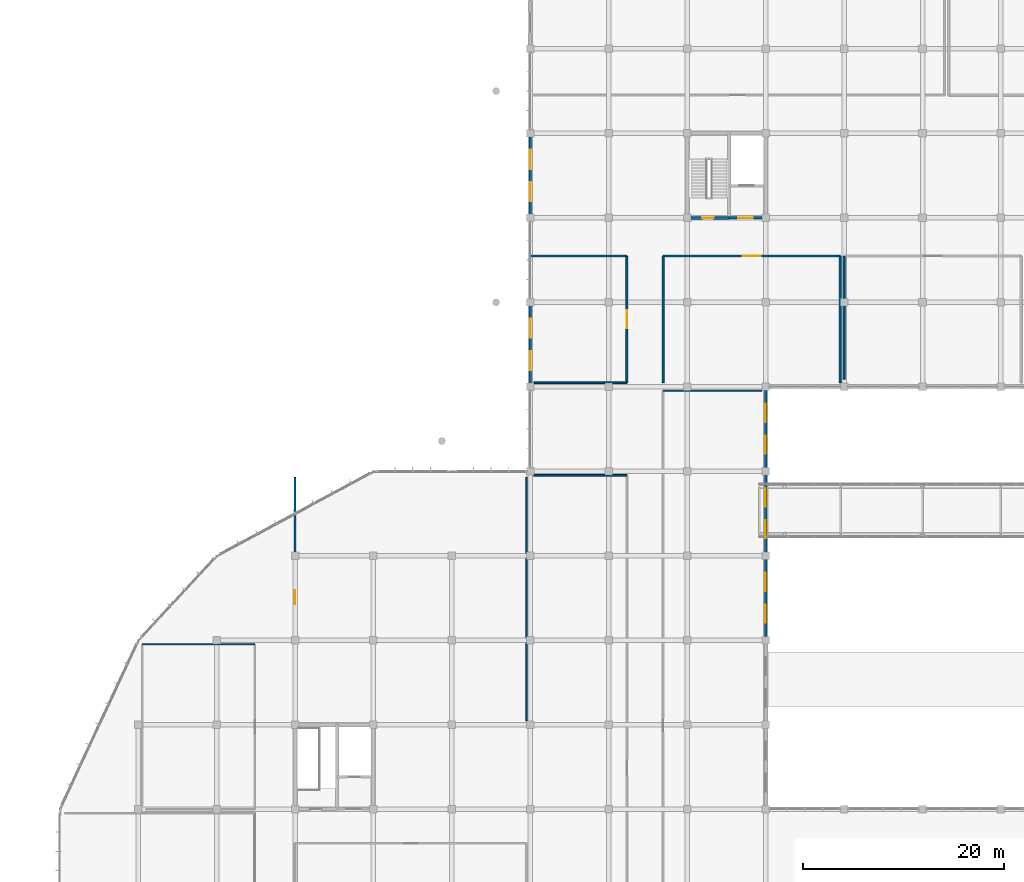
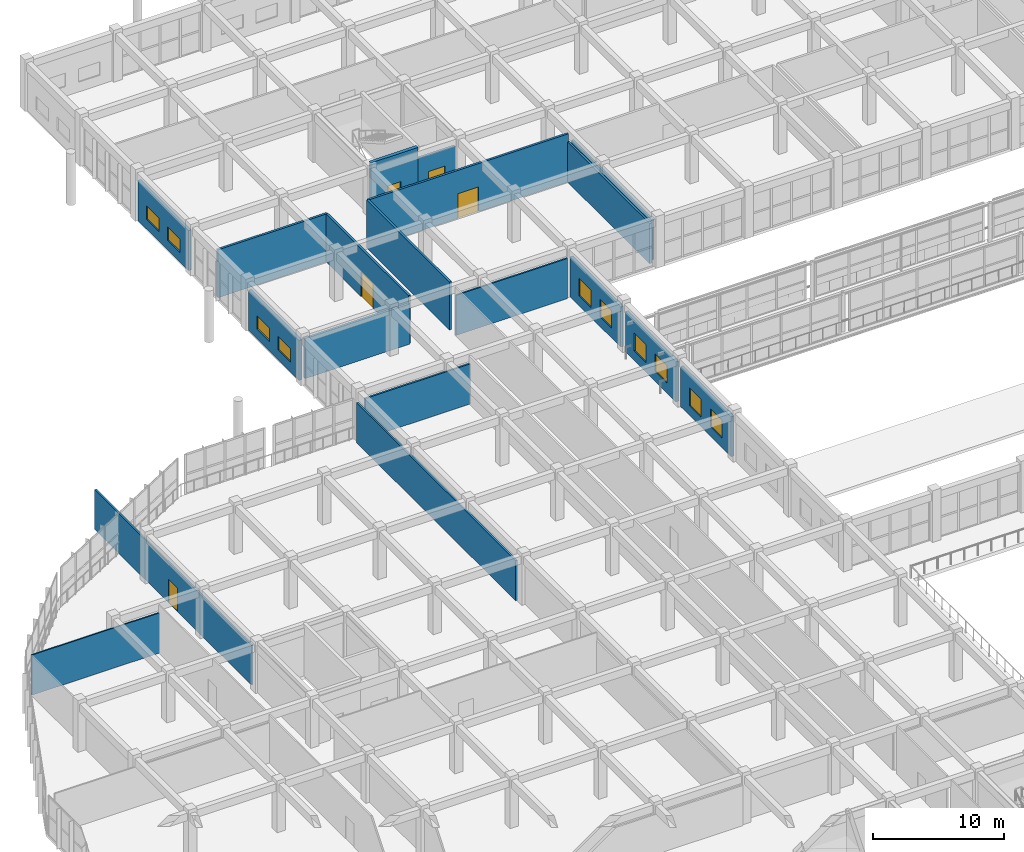
# One storey, part 154 of 167: 19 walls, 10 windows, 5 doors, 15 openings.
"""IFC4 building model written with IfcOpenShell, lengths in metres."""

from ifc_helpers import new_model, si_unit, direction, frame, frame_2d, origin, place, context, subcontext, project, spatial, rectangle, extrude, material, layer, layer_set, type_object, element, fill, save


model = new_model("IFC4")

# Units and contexts
model_context = context("Model", 3, precision=1e-05, world=origin(), true_north=direction((0.0, 1.0)))
body_context = subcontext(model_context, "Body", "Model", "MODEL_VIEW")
ifc_project = project(units=[si_unit("LENGTHUNIT", "METRE"), si_unit("AREAUNIT", "SQUARE_METRE"), si_unit("VOLUMEUNIT", "CUBIC_METRE"), si_unit("PLANEANGLEUNIT", "RADIAN"), si_unit("MASSUNIT", "GRAM", prefix="KILO")], contexts=[model_context])

# Site, building, storey
site_placement = place(None, origin())
site = spatial("IfcSite", under=ifc_project, at=site_placement, CompositionType="ELEMENT")
building_placement = place(site_placement, origin())
building = spatial("IfcBuilding", under=site, at=building_placement, Name="Zizhar Promenade General Hospital", CompositionType="ELEMENT")
storey_placement = place(building_placement, frame((0.0, 0.0, 9.60009765625)))
storey = spatial("IfcBuildingStorey", under=building, at=storey_placement, Name="L02", CompositionType="ELEMENT", Elevation=9.60009765625)

# Wall, openings, windows
ifc_material_1 = material(Name="Precast concrete C40/50", Category="concrete")
ifc_layer_1 = layer(ifc_material_1, 0.260009765625)
ifc_layer_set_1 = layer_set([ifc_layer_1], Name="Precast concrete C40/50")
wall_type_1 = type_object("IfcWallType", Name="EW-PC-260", PredefinedType="STANDARD", material=ifc_layer_set_1)
wall_1_placement = place(storey_placement, frame((70.199951171875, 67.5400390625, 0.0), z_axis=(0.0, 0.0, 1.0), x_axis=(0.0, 1.0, 0.0)))
wall_1 = element("IfcWall", 1, at=wall_1_placement, inside=storey, type_object=wall_type_1, Name="Garden Court West Wall L02-8", PredefinedType="STANDARD", context=body_context, shape_type="SweptSolid", body=[
    extrude(rectangle(XDim=7.719970703125, YDim=0.260009765625, at=frame_2d((3.85986328125, 0.0))), origin(), (0.0, 0.0, 1.0), 3.71484375),
])
opening_1_placement = place(wall_1_placement, frame((1.373291015625, 0.0, 0.89990234375)))
opening_1 = element("IfcOpeningElement", 2, at=opening_1_placement, cuts=wall_1, Name="Opening W-08", PredefinedType="OPENING", context=body_context, shape_type="SweptSolid", body=[
    extrude(rectangle(XDim=1.800048828125, YDim=1.64990234375, at=frame_2d((0.89990234375, 0.824951171875))), frame((0.0, 0.14013671875, 0.0), z_axis=(0.0, -1.0, 0.0), x_axis=(1.0, 0.0, 0.0)), (0.0, 0.0, 1.0), 0.280029296875),
])
opening_2_placement = place(wall_1_placement, frame((4.546630859375, 0.0, 0.89990234375)))
opening_2 = element("IfcOpeningElement", 3, at=opening_2_placement, cuts=wall_1, Name="Opening W-08", PredefinedType="OPENING", context=body_context, shape_type="SweptSolid", body=[
    extrude(rectangle(XDim=1.800048828125, YDim=1.64990234375, at=frame_2d((0.89990234375, 0.824951171875))), frame((0.0, 0.14013671875, 0.0), z_axis=(0.0, -1.0, 0.0), x_axis=(1.0, 0.0, 0.0)), (0.0, 0.0, 1.0), 0.280029296875),
])
ifc_material_2 = material(Name="Anodised aluminium 6063-T6 and low-E glass", Category="aluminium")
window_type_1 = type_object("IfcWindowType", Name="WIN-CLN-180x165", PartitioningType="DOUBLE_PANEL_VERTICAL", PredefinedType="WINDOW", material=ifc_material_2)
window_1_placement = place(opening_1_placement, origin())
window_1 = element("IfcWindow", 4, at=window_1_placement, inside=storey, type_object=window_type_1, Name="Garden Court West Wall L02-8 Window 1", OverallHeight=1.64990234375, OverallWidth=1.800048828125, PartitioningType="SINGLE_PANEL", PredefinedType="WINDOW", context=body_context, shape_type="SweptSolid", body=[
    extrude(rectangle(XDim=1.800048828125, YDim=1.64990234375, at=frame_2d((0.89990234375, 0.824951171875))), frame((0.0, 0.030029296875, 0.0), z_axis=(0.0, -1.0, 0.0), x_axis=(1.0, 0.0, 0.0)), (0.0, 0.0, 1.0), 0.06005859375),
])
fill(opening_1, window_1)
window_2_placement = place(opening_2_placement, origin())
window_2 = element("IfcWindow", 5, at=window_2_placement, inside=storey, type_object=window_type_1, Name="Garden Court West Wall L02-8 Window 2", OverallHeight=1.64990234375, OverallWidth=1.800048828125, PartitioningType="SINGLE_PANEL", PredefinedType="WINDOW", context=body_context, shape_type="SweptSolid", body=[
    extrude(rectangle(XDim=1.800048828125, YDim=1.64990234375, at=frame_2d((0.89990234375, 0.824951171875))), frame((0.0, 0.030029296875, 0.0), z_axis=(0.0, -1.0, 0.0), x_axis=(1.0, 0.0, 0.0)), (0.0, 0.0, 1.0), 0.06005859375),
])
fill(opening_2, window_2)

wall_2_placement = place(storey_placement, frame((70.199951171875, 75.93994140625, 0.0), z_axis=(0.0, 0.0, 1.0), x_axis=(0.0, 1.0, 0.0)))
wall_2 = element("IfcWall", 6, at=wall_2_placement, inside=storey, type_object=wall_type_1, Name="Garden Court West Wall L02-9", PredefinedType="STANDARD", context=body_context, shape_type="SweptSolid", body=[
    extrude(rectangle(XDim=7.719970703125, YDim=0.260009765625, at=frame_2d((3.85986328125, 0.0))), origin(), (0.0, 0.0, 1.0), 3.71484375),
])
opening_3_placement = place(wall_2_placement, frame((1.373291015625, 0.0, 0.89990234375)))
opening_3 = element("IfcOpeningElement", 7, at=opening_3_placement, cuts=wall_2, Name="Opening W-08", PredefinedType="OPENING", context=body_context, shape_type="SweptSolid", body=[
    extrude(rectangle(XDim=1.800048828125, YDim=1.64990234375, at=frame_2d((0.89990234375, 0.824951171875))), frame((0.0, 0.14013671875, 0.0), z_axis=(0.0, -1.0, 0.0), x_axis=(1.0, 0.0, 0.0)), (0.0, 0.0, 1.0), 0.280029296875),
])
opening_4_placement = place(wall_2_placement, frame((4.546630859375, 0.0, 0.89990234375)))
opening_4 = element("IfcOpeningElement", 8, at=opening_4_placement, cuts=wall_2, Name="Opening W-08", PredefinedType="OPENING", context=body_context, shape_type="SweptSolid", body=[
    extrude(rectangle(XDim=1.800048828125, YDim=1.64990234375, at=frame_2d((0.89990234375, 0.824951171875))), frame((0.0, 0.14013671875, 0.0), z_axis=(0.0, -1.0, 0.0), x_axis=(1.0, 0.0, 0.0)), (0.0, 0.0, 1.0), 0.280029296875),
])
window_3_placement = place(opening_3_placement, origin())
window_3 = element("IfcWindow", 9, at=window_3_placement, inside=storey, type_object=window_type_1, Name="Garden Court West Wall L02-9 Window 1", OverallHeight=1.64990234375, OverallWidth=1.800048828125, PartitioningType="SINGLE_PANEL", PredefinedType="WINDOW", context=body_context, shape_type="SweptSolid", body=[
    extrude(rectangle(XDim=1.800048828125, YDim=1.64990234375, at=frame_2d((0.89990234375, 0.824951171875))), frame((0.0, 0.030029296875, 0.0), z_axis=(0.0, -1.0, 0.0), x_axis=(1.0, 0.0, 0.0)), (0.0, 0.0, 1.0), 0.06005859375),
])
fill(opening_3, window_3)
window_4_placement = place(opening_4_placement, origin())
window_4 = element("IfcWindow", 10, at=window_4_placement, inside=storey, type_object=window_type_1, Name="Garden Court West Wall L02-9 Window 2", OverallHeight=1.64990234375, OverallWidth=1.800048828125, PartitioningType="SINGLE_PANEL", PredefinedType="WINDOW", context=body_context, shape_type="SweptSolid", body=[
    extrude(rectangle(XDim=1.800048828125, YDim=1.64990234375, at=frame_2d((0.89990234375, 0.824951171875))), frame((0.0, 0.030029296875, 0.0), z_axis=(0.0, -1.0, 0.0), x_axis=(1.0, 0.0, 0.0)), (0.0, 0.0, 1.0), 0.06005859375),
])
fill(opening_4, window_4)

wall_3_placement = place(storey_placement, frame((70.199951171875, 84.340087890625, 0.0), z_axis=(0.0, 0.0, 1.0), x_axis=(0.0, 1.0, 0.0)))
wall_3 = element("IfcWall", 11, at=wall_3_placement, inside=storey, type_object=wall_type_1, Name="Garden Court West Wall L02-10", PredefinedType="STANDARD", context=body_context, shape_type="SweptSolid", body=[
    extrude(rectangle(XDim=7.719970703125, YDim=0.260009765625, at=frame_2d((3.85986328125, 0.0))), origin(), (0.0, 0.0, 1.0), 3.71484375),
])
opening_5_placement = place(wall_3_placement, frame((1.373291015625, 0.0, 0.89990234375)))
opening_5 = element("IfcOpeningElement", 12, at=opening_5_placement, cuts=wall_3, Name="Opening W-08", PredefinedType="OPENING", context=body_context, shape_type="SweptSolid", body=[
    extrude(rectangle(XDim=1.800048828125, YDim=1.64990234375, at=frame_2d((0.89990234375, 0.824951171875))), frame((0.0, 0.14013671875, 0.0), z_axis=(0.0, -1.0, 0.0), x_axis=(1.0, 0.0, 0.0)), (0.0, 0.0, 1.0), 0.280029296875),
])
opening_6_placement = place(wall_3_placement, frame((4.546630859375, 0.0, 0.89990234375)))
opening_6 = element("IfcOpeningElement", 13, at=opening_6_placement, cuts=wall_3, Name="Opening W-08", PredefinedType="OPENING", context=body_context, shape_type="SweptSolid", body=[
    extrude(rectangle(XDim=1.800048828125, YDim=1.64990234375, at=frame_2d((0.89990234375, 0.824951171875))), frame((0.0, 0.14013671875, 0.0), z_axis=(0.0, -1.0, 0.0), x_axis=(1.0, 0.0, 0.0)), (0.0, 0.0, 1.0), 0.280029296875),
])
window_5_placement = place(opening_5_placement, origin())
window_5 = element("IfcWindow", 14, at=window_5_placement, inside=storey, type_object=window_type_1, Name="Garden Court West Wall L02-10 Window 1", OverallHeight=1.64990234375, OverallWidth=1.800048828125, PartitioningType="SINGLE_PANEL", PredefinedType="WINDOW", context=body_context, shape_type="SweptSolid", body=[
    extrude(rectangle(XDim=1.800048828125, YDim=1.64990234375, at=frame_2d((0.89990234375, 0.824951171875))), frame((0.0, 0.030029296875, 0.0), z_axis=(0.0, -1.0, 0.0), x_axis=(1.0, 0.0, 0.0)), (0.0, 0.0, 1.0), 0.06005859375),
])
fill(opening_5, window_5)
window_6_placement = place(opening_6_placement, origin())
window_6 = element("IfcWindow", 15, at=window_6_placement, inside=storey, type_object=window_type_1, Name="Garden Court West Wall L02-10 Window 2", OverallHeight=1.64990234375, OverallWidth=1.800048828125, PartitioningType="SINGLE_PANEL", PredefinedType="WINDOW", context=body_context, shape_type="SweptSolid", body=[
    extrude(rectangle(XDim=1.800048828125, YDim=1.64990234375, at=frame_2d((0.89990234375, 0.824951171875))), frame((0.0, 0.030029296875, 0.0), z_axis=(0.0, -1.0, 0.0), x_axis=(1.0, 0.0, 0.0)), (0.0, 0.0, 1.0), 0.06005859375),
])
fill(opening_6, window_6)

ifc_material_3 = material(Name="Precast concrete C40/50", Category="concrete")
ifc_layer_2 = layer(ifc_material_3, 0.27490234375)
ifc_layer_set_2 = layer_set([ifc_layer_2], Name="Precast concrete C40/50")
wall_type_2 = type_object("IfcWallType", Name="EW-PC-275", PredefinedType="STANDARD", material=ifc_layer_set_2)
wall_4_placement = place(storey_placement, frame((46.800048828125, 92.739990234375, 0.0), z_axis=(0.0, 0.0, 1.0), x_axis=(0.0, 1.0, 0.0)))
wall_4 = element("IfcWall", 16, at=wall_4_placement, inside=storey, type_object=wall_type_2, Name="Surgical West Wall L02-11", PredefinedType="STANDARD", context=body_context, shape_type="SweptSolid", body=[
    extrude(rectangle(XDim=7.719970703125, YDim=0.27490234375, at=frame_2d((3.85986328125, 0.0))), origin(), (0.0, 0.0, 1.0), 3.71484375),
])
opening_7_placement = place(wall_4_placement, frame((1.306640625, 0.0, 0.89990234375)))
opening_7 = element("IfcOpeningElement", 17, at=opening_7_placement, cuts=wall_4, Name="Opening W-24", PredefinedType="OPENING", context=body_context, shape_type="SweptSolid", body=[
    extrude(rectangle(XDim=1.89990234375, YDim=1.25, at=frame_2d((0.949951171875, 0.625))), frame((0.0, 0.1474609375, 0.0), z_axis=(0.0, -1.0, 0.0), x_axis=(1.0, 0.0, 0.0)), (0.0, 0.0, 1.0), 0.294921875),
])
opening_8_placement = place(wall_4_placement, frame((4.51318359375, 0.0, 0.89990234375)))
opening_8 = element("IfcOpeningElement", 18, at=opening_8_placement, cuts=wall_4, Name="Opening W-24", PredefinedType="OPENING", context=body_context, shape_type="SweptSolid", body=[
    extrude(rectangle(XDim=1.89990234375, YDim=1.25, at=frame_2d((0.949951171875, 0.625))), frame((0.0, 0.1474609375, 0.0), z_axis=(0.0, -1.0, 0.0), x_axis=(1.0, 0.0, 0.0)), (0.0, 0.0, 1.0), 0.294921875),
])
ifc_material_4 = material(Name="Anodised aluminium 6063-T6 and low-E glass", Category="aluminium")
window_type_2 = type_object("IfcWindowType", Name="WIN-OR-190x125", PartitioningType="DOUBLE_PANEL_VERTICAL", PredefinedType="WINDOW", material=ifc_material_4)
window_7_placement = place(opening_7_placement, origin())
window_7 = element("IfcWindow", 19, at=window_7_placement, inside=storey, type_object=window_type_2, Name="Surgical West Wall L02-11 Window 1", OverallHeight=1.25, OverallWidth=1.89990234375, PartitioningType="SINGLE_PANEL", PredefinedType="WINDOW", context=body_context, shape_type="SweptSolid", body=[
    extrude(rectangle(XDim=1.89990234375, YDim=1.25, at=frame_2d((0.949951171875, 0.625))), frame((0.0, 0.030029296875, 0.0), z_axis=(0.0, -1.0, 0.0), x_axis=(1.0, 0.0, 0.0)), (0.0, 0.0, 1.0), 0.06005859375),
])
fill(opening_7, window_7)
window_8_placement = place(opening_8_placement, origin())
window_8 = element("IfcWindow", 20, at=window_8_placement, inside=storey, type_object=window_type_2, Name="Surgical West Wall L02-11 Window 2", OverallHeight=1.25, OverallWidth=1.89990234375, PartitioningType="SINGLE_PANEL", PredefinedType="WINDOW", context=body_context, shape_type="SweptSolid", body=[
    extrude(rectangle(XDim=1.89990234375, YDim=1.25, at=frame_2d((0.949951171875, 0.625))), frame((0.0, 0.030029296875, 0.0), z_axis=(0.0, -1.0, 0.0), x_axis=(1.0, 0.0, 0.0)), (0.0, 0.0, 1.0), 0.06005859375),
])
fill(opening_8, window_8)

wall_5_placement = place(storey_placement, frame((46.800048828125, 109.5400390625, 0.0), z_axis=(0.0, 0.0, 1.0), x_axis=(0.0, 1.0, 0.0)))
wall_5 = element("IfcWall", 21, at=wall_5_placement, inside=storey, type_object=wall_type_2, Name="Surgical West Wall L02-13", PredefinedType="STANDARD", context=body_context, shape_type="SweptSolid", body=[
    extrude(rectangle(XDim=7.719970703125, YDim=0.27490234375, at=frame_2d((3.85986328125, 0.0))), origin(), (0.0, 0.0, 1.0), 3.71484375),
])
opening_9_placement = place(wall_5_placement, frame((1.306640625, 0.0, 0.89990234375)))
opening_9 = element("IfcOpeningElement", 22, at=opening_9_placement, cuts=wall_5, Name="Opening W-24", PredefinedType="OPENING", context=body_context, shape_type="SweptSolid", body=[
    extrude(rectangle(XDim=1.89990234375, YDim=1.25, at=frame_2d((0.949951171875, 0.625))), frame((0.0, 0.1474609375, 0.0), z_axis=(0.0, -1.0, 0.0), x_axis=(1.0, 0.0, 0.0)), (0.0, 0.0, 1.0), 0.294921875),
])
opening_10_placement = place(wall_5_placement, frame((4.51318359375, 0.0, 0.89990234375)))
opening_10 = element("IfcOpeningElement", 23, at=opening_10_placement, cuts=wall_5, Name="Opening W-24", PredefinedType="OPENING", context=body_context, shape_type="SweptSolid", body=[
    extrude(rectangle(XDim=1.89990234375, YDim=1.25, at=frame_2d((0.949951171875, 0.625))), frame((0.0, 0.1474609375, 0.0), z_axis=(0.0, -1.0, 0.0), x_axis=(1.0, 0.0, 0.0)), (0.0, 0.0, 1.0), 0.294921875),
])
window_9_placement = place(opening_9_placement, origin())
window_9 = element("IfcWindow", 24, at=window_9_placement, inside=storey, type_object=window_type_2, Name="Surgical West Wall L02-13 Window 1", OverallHeight=1.25, OverallWidth=1.89990234375, PartitioningType="SINGLE_PANEL", PredefinedType="WINDOW", context=body_context, shape_type="SweptSolid", body=[
    extrude(rectangle(XDim=1.89990234375, YDim=1.25, at=frame_2d((0.949951171875, 0.625))), frame((0.0, 0.030029296875, 0.0), z_axis=(0.0, -1.0, 0.0), x_axis=(1.0, 0.0, 0.0)), (0.0, 0.0, 1.0), 0.06005859375),
])
fill(opening_9, window_9)
window_10_placement = place(opening_10_placement, origin())
window_10 = element("IfcWindow", 25, at=window_10_placement, inside=storey, type_object=window_type_2, Name="Surgical West Wall L02-13 Window 2", OverallHeight=1.25, OverallWidth=1.89990234375, PartitioningType="SINGLE_PANEL", PredefinedType="WINDOW", context=body_context, shape_type="SweptSolid", body=[
    extrude(rectangle(XDim=1.89990234375, YDim=1.25, at=frame_2d((0.949951171875, 0.625))), frame((0.0, 0.030029296875, 0.0), z_axis=(0.0, -1.0, 0.0), x_axis=(1.0, 0.0, 0.0)), (0.0, 0.0, 1.0), 0.06005859375),
])
fill(opening_10, window_10)

# Wall
ifc_material_5 = material(Name="Chemical-resistant laboratory partition")
ifc_layer_3 = layer(ifc_material_5, 0.135009765625)
ifc_layer_set_3 = layer_set([ifc_layer_3], Name="Chemical-resistant laboratory partition")
wall_type_3 = type_object("IfcWallType", Name="IW-LAB-135", PredefinedType="PARTITIONING", material=ifc_layer_set_3)
wall_6_placement = place(storey_placement, frame((60.0, 92.0, 0.0), z_axis=(0.0, 0.0, 1.0), x_axis=(1.0, 0.0, 0.0)))
element("IfcWall", 26, at=wall_6_placement, inside=storey, type_object=wall_type_3, Name="Sterile Instrument Preparation Suite N Partition", PredefinedType="PARTITIONING", context=body_context, shape_type="SweptSolid", body=[
    extrude(rectangle(XDim=9.800048828125, YDim=0.135009765625, at=frame_2d((4.89990234375, 0.0))), origin(), (0.0, 0.0, 1.0), 3.72998046875),
])

# Wall, opening, door
ifc_material_6 = material(Name="Concrete C35/45", Category="concrete")
ifc_layer_4 = layer(ifc_material_6, 0.215087890625)
ifc_layer_set_4 = layer_set([ifc_layer_4], Name="Concrete C35/45")
wall_type_4 = type_object("IfcWallType", Name="IW-LOBBY-215", PredefinedType="STANDARD", material=ifc_layer_set_4)
wall_7_placement = place(storey_placement, frame((66.550048828125, 109.199951171875, 0.0), z_axis=(0.0, 0.0, 1.0), x_axis=(1.0, 0.0, 0.0)))
wall_7 = element("IfcWall", 27, at=wall_7_placement, inside=storey, type_object=wall_type_4, Name="Core C6 Lift Lobby South Fire Wall (L02)", PredefinedType="STANDARD", context=body_context, shape_type="SweptSolid", body=[
    extrude(rectangle(XDim=3.2900390625, YDim=0.215087890625, at=frame_2d((1.64501953125, 0.0))), origin(), (0.0, 0.0, 1.0), 3.72998046875),
])
opening_11_placement = place(wall_7_placement, frame((0.925048828125, 0.0, 0.0)))
opening_11 = element("IfcOpeningElement", 28, at=opening_11_placement, cuts=wall_7, Name="Opening D-23", PredefinedType="OPENING", context=body_context, shape_type="SweptSolid", body=[
    extrude(rectangle(XDim=1.43994140625, YDim=2.199951171875, at=frame_2d((0.719970703125, 1.10009765625))), frame((0.0, 0.11767578125, 0.0), z_axis=(0.0, -1.0, 0.0), x_axis=(1.0, 0.0, 0.0)), (0.0, 0.0, 1.0), 0.235107421875),
])
ifc_material_7 = material(Name="Fire-rated timber lift lobby pair", Category="wood")
door_type_1 = type_object("IfcDoorType", Name="DR-LOBBY-PR-144x220", OperationType="DOUBLE_DOOR_SINGLE_SWING", PredefinedType="DOOR", material=ifc_material_7)
door_1_placement = place(opening_11_placement, origin())
door_1 = element("IfcDoor", 29, at=door_1_placement, inside=storey, type_object=door_type_1, Name="Core C6 Protected Lift Lobby Door (L02)", OperationType="DOUBLE_DOOR_SINGLE_SWING", OverallHeight=2.199951171875, OverallWidth=1.43994140625, PredefinedType="DOOR", context=body_context, shape_type="SweptSolid", body=[
    extrude(rectangle(XDim=1.43994140625, YDim=2.199951171875, at=frame_2d((0.719970703125, 1.10009765625))), frame((0.0, 0.02490234375, 0.0), z_axis=(0.0, -1.0, 0.0), x_axis=(1.0, 0.0, 0.0)), (0.0, 0.0, 1.0), 0.050048828125),
])
fill(opening_11, door_1)

# Walls
ifc_material_8 = material(Name="Hygienic cleanroom aluminium-faced gypsum partition", Category="aluminium")
ifc_layer_5 = layer(ifc_material_8, 0.18994140625)
ifc_layer_set_5 = layer_set([ifc_layer_5], Name="Hygienic cleanroom aluminium-faced gypsum partition")
wall_type_5 = type_object("IfcWallType", Name="IW-OR-190", PredefinedType="PARTITIONING", material=ifc_layer_set_5)
wall_8_placement = place(storey_placement, frame((47.159912109375, 92.800048828125, 0.0), z_axis=(0.0, 0.0, 1.0), x_axis=(1.0, 0.0, 0.0)))
element("IfcWall", 30, at=wall_8_placement, inside=storey, type_object=wall_type_5, Name="Operating Theatre 06 S Partition", PredefinedType="PARTITIONING", context=body_context, shape_type="SweptSolid", body=[
    extrude(rectangle(XDim=9.239990234375, YDim=0.18994140625, at=frame_2d((4.6201171875, 0.0))), origin(), (0.0, 0.0, 1.0), 3.72998046875),
])
wall_9_placement = place(storey_placement, frame((46.800048828125, 105.39990234375, 0.0), z_axis=(0.0, 0.0, 1.0), x_axis=(1.0, 0.0, 0.0)))
element("IfcWall", 31, at=wall_9_placement, inside=storey, type_object=wall_type_5, Name="Operating Theatre 06 N Partition", PredefinedType="PARTITIONING", context=body_context, shape_type="SweptSolid", body=[
    extrude(rectangle(XDim=9.599853515625, YDim=0.18994140625, at=frame_2d((4.7998046875, 0.0))), origin(), (0.0, 0.0, 1.0), 4.4599609375),
])

# Wall, opening, door
wall_10_placement = place(storey_placement, frame((56.39990234375, 92.800048828125, 0.0), z_axis=(0.0, 0.0, 1.0), x_axis=(0.0, 1.0, 0.0)))
wall_10 = element("IfcWall", 32, at=wall_10_placement, inside=storey, type_object=wall_type_5, Name="Operating Theatre 06 E Partition", PredefinedType="PARTITIONING", context=body_context, shape_type="SweptSolid", body=[
    extrude(rectangle(XDim=12.599853515625, YDim=0.18994140625, at=frame_2d((6.2998046875, 0.0))), origin(), (0.0, 0.0, 1.0), 4.4599609375),
])
opening_12_placement = place(wall_10_placement, frame((5.39990234375, 0.0, 0.0)))
opening_12 = element("IfcOpeningElement", 33, at=opening_12_placement, cuts=wall_10, Name="Opening D-03", PredefinedType="OPENING", context=body_context, shape_type="SweptSolid", body=[
    extrude(rectangle(XDim=1.800048828125, YDim=2.300048828125, at=frame_2d((0.89990234375, 1.14990234375))), frame((0.0, 0.10498046875, 0.0), z_axis=(0.0, -1.0, 0.0), x_axis=(1.0, 0.0, 0.0)), (0.0, 0.0, 1.0), 0.2099609375),
])
ifc_material_9 = material(Name="Anodised aluminium cleanroom hermetic leaf", Category="aluminium")
door_type_2 = type_object("IfcDoorType", Name="DR-OR-SLIDE-180x230", OperationType="SLIDING_TO_LEFT", PredefinedType="DOOR", material=ifc_material_9)
door_2_placement = place(opening_12_placement, origin())
door_2 = element("IfcDoor", 34, at=door_2_placement, inside=storey, type_object=door_type_2, Name="Operating Theatre 06 Door", OperationType="SLIDING_TO_LEFT", OverallHeight=2.300048828125, OverallWidth=1.800048828125, PredefinedType="DOOR", context=body_context, shape_type="SweptSolid", body=[
    extrude(rectangle(XDim=1.800048828125, YDim=2.300048828125, at=frame_2d((0.89990234375, 1.14990234375))), frame((0.0, 0.02490234375, 0.0), z_axis=(0.0, -1.0, 0.0), x_axis=(1.0, 0.0, 0.0)), (0.0, 0.0, 1.0), 0.050048828125),
])
fill(opening_12, door_2)

wall_11_placement = place(storey_placement, frame((60.0, 105.39990234375, 0.0), z_axis=(0.0, 0.0, 1.0), x_axis=(1.0, 0.0, 0.0)))
wall_11 = element("IfcWall", 35, at=wall_11_placement, inside=storey, type_object=wall_type_5, Name="Operating Theatre 07 N Partition", PredefinedType="PARTITIONING", context=body_context, shape_type="SweptSolid", body=[
    extrude(rectangle(XDim=17.60009765625, YDim=0.18994140625, at=frame_2d((8.800048828125, 0.0))), origin(), (0.0, 0.0, 1.0), 4.4599609375),
])
opening_13_placement = place(wall_11_placement, frame((7.89990234375, 0.0, 0.0)))
opening_13 = element("IfcOpeningElement", 36, at=opening_13_placement, cuts=wall_11, Name="Opening D-03", PredefinedType="OPENING", context=body_context, shape_type="SweptSolid", body=[
    extrude(rectangle(XDim=1.800048828125, YDim=2.300048828125, at=frame_2d((0.89990234375, 1.14990234375))), frame((0.0, 0.10498046875, 0.0), z_axis=(0.0, -1.0, 0.0), x_axis=(1.0, 0.0, 0.0)), (0.0, 0.0, 1.0), 0.2099609375),
])
door_3_placement = place(opening_13_placement, origin())
door_3 = element("IfcDoor", 37, at=door_3_placement, inside=storey, type_object=door_type_2, Name="Operating Theatre 07 Door", OperationType="SLIDING_TO_LEFT", OverallHeight=2.300048828125, OverallWidth=1.800048828125, PredefinedType="DOOR", context=body_context, shape_type="SweptSolid", body=[
    extrude(rectangle(XDim=1.800048828125, YDim=2.300048828125, at=frame_2d((0.89990234375, 1.14990234375))), frame((0.0, 0.02490234375, 0.0), z_axis=(0.0, -1.0, 0.0), x_axis=(1.0, 0.0, 0.0)), (0.0, 0.0, 1.0), 0.050048828125),
])
fill(opening_13, door_3)

# Walls
wall_12_placement = place(storey_placement, frame((60.0, 92.800048828125, 0.0), z_axis=(0.0, 0.0, 1.0), x_axis=(0.0, 1.0, 0.0)))
element("IfcWall", 38, at=wall_12_placement, inside=storey, type_object=wall_type_5, Name="Operating Theatre 07 W Partition", PredefinedType="PARTITIONING", context=body_context, shape_type="SweptSolid", body=[
    extrude(rectangle(XDim=12.599853515625, YDim=0.18994140625, at=frame_2d((6.2998046875, 0.0))), origin(), (0.0, 0.0, 1.0), 4.4599609375),
])
wall_13_placement = place(storey_placement, frame((77.60009765625, 92.800048828125, 0.0), z_axis=(0.0, 0.0, 1.0), x_axis=(0.0, 1.0, 0.0)))
element("IfcWall", 39, at=wall_13_placement, inside=storey, type_object=wall_type_5, Name="Operating Theatre 07 E Partition", PredefinedType="PARTITIONING", context=body_context, shape_type="SweptSolid", body=[
    extrude(rectangle(XDim=12.599853515625, YDim=0.18994140625, at=frame_2d((6.2998046875, 0.0))), origin(), (0.0, 0.0, 1.0), 3.72998046875),
])
wall_14_placement = place(storey_placement, frame((78.0, 93.159912109375, 0.0), z_axis=(0.0, 0.0, 1.0), x_axis=(0.0, 1.0, 0.0)))
element("IfcWall", 40, at=wall_14_placement, inside=storey, type_object=wall_type_5, Name="Operating Theatre 08 W Partition", PredefinedType="PARTITIONING", context=body_context, shape_type="SweptSolid", body=[
    extrude(rectangle(XDim=12.239990234375, YDim=0.18994140625, at=frame_2d((6.1201171875, 0.0))), origin(), (0.0, 0.0, 1.0), 3.71484375),
])
ifc_material_10 = material(Name="Clean utility gypsum partition")
ifc_layer_6 = layer(ifc_material_10, 0.114990234375)
ifc_layer_set_6 = layer_set([ifc_layer_6], Name="Clean utility gypsum partition")
wall_type_6 = type_object("IfcWallType", Name="IW-STR-115", PredefinedType="PARTITIONING", material=ifc_layer_set_6)
wall_15_placement = place(storey_placement, frame((8.199951171875, 66.800048828125, 0.0), z_axis=(0.0, 0.0, 1.0), x_axis=(1.0, 0.0, 0.0)))
element("IfcWall", 41, at=wall_15_placement, inside=storey, type_object=wall_type_6, Name="Pulmonary Endoscopy and Sleep Study Suite N Partition", PredefinedType="PARTITIONING", context=body_context, shape_type="SweptSolid", body=[
    extrude(rectangle(XDim=11.199951171875, YDim=0.114990234375, at=frame_2d((5.60009765625, 0.0))), origin(), (0.0, 0.0, 1.0), 3.72998046875),
])

# Wall, opening, door
ifc_material_11 = material(Name="Acoustic patient bedroom partition")
ifc_layer_7 = layer(ifc_material_11, 0.155029296875)
ifc_layer_set_7 = layer_set([ifc_layer_7], Name="Acoustic patient bedroom partition")
wall_type_7 = type_object("IfcWallType", Name="IW-WARD-155", PredefinedType="PARTITIONING", material=ifc_layer_set_7)
wall_16_placement = place(storey_placement, frame((23.39990234375, 59.56005859375, 0.0), z_axis=(0.0, 0.0, 1.0), x_axis=(0.0, 1.0, 0.0)))
wall_16 = element("IfcWall", 42, at=wall_16_placement, inside=storey, type_object=wall_type_7, Name="Clinical Trial and Translational Research Ward W Partition", PredefinedType="PARTITIONING", context=body_context, shape_type="SweptSolid", body=[
    extrude(rectangle(XDim=23.83984375, YDim=0.155029296875, at=frame_2d((11.919921875, 0.0))), origin(), (0.0, 0.0, 1.0), 3.71484375),
])
opening_14_placement = place(wall_16_placement, frame((11.219970703125, 0.0, 0.0)))
opening_14 = element("IfcOpeningElement", 43, at=opening_14_placement, cuts=wall_16, Name="Opening D-06", PredefinedType="OPENING", context=body_context, shape_type="SweptSolid", body=[
    extrude(rectangle(XDim=1.39990234375, YDim=2.199951171875, at=frame_2d((0.699951171875, 1.10009765625))), frame((0.0, 0.08740234375, 0.0), z_axis=(0.0, -1.0, 0.0), x_axis=(1.0, 0.0, 0.0)), (0.0, 0.0, 1.0), 0.175048828125),
])
ifc_material_12 = material(Name="Fire-rated timber hospital bed leaf", Category="wood")
door_type_3 = type_object("IfcDoorType", Name="DR-BED-WARD-140x220", OperationType="NOTDEFINED", PredefinedType="DOOR", material=ifc_material_12)
door_4_placement = place(opening_14_placement, origin())
door_4 = element("IfcDoor", 44, at=door_4_placement, inside=storey, type_object=door_type_3, Name="Clinical Trial and Translational Research Ward Door", OperationType="SINGLE_SWING_LEFT", OverallHeight=2.199951171875, OverallWidth=1.39990234375, PredefinedType="DOOR", context=body_context, shape_type="SweptSolid", body=[
    extrude(rectangle(XDim=1.39990234375, YDim=2.199951171875, at=frame_2d((0.699951171875, 1.10009765625))), frame((0.0, 0.02490234375, 0.0), z_axis=(0.0, -1.0, 0.0), x_axis=(1.0, 0.0, 0.0)), (0.0, 0.0, 1.0), 0.050048828125),
])
fill(opening_14, door_4)

# Walls
wall_17_placement = place(storey_placement, frame((46.39990234375, 59.199951171875, 0.0), z_axis=(0.0, 0.0, 1.0), x_axis=(0.0, 1.0, 0.0)))
element("IfcWall", 45, at=wall_17_placement, inside=storey, type_object=wall_type_7, Name="Clinical Trial and Translational Research Ward E Partition", PredefinedType="PARTITIONING", context=body_context, shape_type="SweptSolid", body=[
    extrude(rectangle(XDim=24.199951171875, YDim=0.155029296875, at=frame_2d((12.10009765625, 0.0))), origin(), (0.0, 0.0, 1.0), 3.72998046875),
])
wall_18_placement = place(storey_placement, frame((47.159912109375, 83.60009765625, 0.0), z_axis=(0.0, 0.0, 1.0), x_axis=(1.0, 0.0, 0.0)))
element("IfcWall", 46, at=wall_18_placement, inside=storey, type_object=wall_type_7, Name="Pre-Operative Surgical Holding Ward N Partition", PredefinedType="PARTITIONING", context=body_context, shape_type="SweptSolid", body=[
    extrude(rectangle(XDim=9.239990234375, YDim=0.155029296875, at=frame_2d((4.6201171875, 0.0))), origin(), (0.0, 0.0, 1.0), 3.72998046875),
])

# Wall, opening, door
ifc_material_13 = material(Name="Concrete C40/50", Category="concrete")
ifc_layer_8 = layer(ifc_material_13, 0.300048828125)
ifc_layer_set_8 = layer_set([ifc_layer_8], Name="Concrete C40/50")
wall_type_8 = type_object("IfcWallType", Name="WL-CORE-300", PredefinedType="SHEAR", material=ifc_layer_set_8)
wall_19_placement = place(storey_placement, frame((62.39990234375, 109.199951171875, 0.0), z_axis=(0.0, 0.0, 1.0), x_axis=(1.0, 0.0, 0.0)))
wall_19 = element("IfcWall", 47, at=wall_19_placement, inside=storey, type_object=wall_type_8, Name="Core C6 Stair South Fire Wall (L02)", PredefinedType="SHEAR", context=body_context, shape_type="SweptSolid", body=[
    extrude(rectangle(XDim=4.150146484375, YDim=0.300048828125, at=frame_2d((2.0751953125, 0.0))), origin(), (0.0, 0.0, 1.0), 4.7998046875),
])
opening_15_placement = place(wall_19_placement, frame((1.514892578125, 0.0, 0.0)))
opening_15 = element("IfcOpeningElement", 48, at=opening_15_placement, cuts=wall_19, Name="Opening D-21", PredefinedType="OPENING", context=body_context, shape_type="SweptSolid", body=[
    extrude(rectangle(XDim=1.1201171875, YDim=2.14990234375, at=frame_2d((0.56005859375, 1.074951171875))), frame((0.0, 0.16015625, 0.0), z_axis=(0.0, -1.0, 0.0), x_axis=(1.0, 0.0, 0.0)), (0.0, 0.0, 1.0), 0.320068359375),
])
ifc_material_14 = material(Name="Steel S355 protected stair door", Category="steel")
door_type_4 = type_object("IfcDoorType", Name="DR-STAIR-112x215", OperationType="NOTDEFINED", PredefinedType="DOOR", material=ifc_material_14)
door_5_placement = place(opening_15_placement, origin())
door_5 = element("IfcDoor", 49, at=door_5_placement, inside=storey, type_object=door_type_4, Name="Exit Stair ST-06 Door (L02)", OperationType="SINGLE_SWING_RIGHT", OverallHeight=2.14990234375, OverallWidth=1.1201171875, PredefinedType="DOOR", context=body_context, shape_type="SweptSolid", body=[
    extrude(rectangle(XDim=1.1201171875, YDim=2.14990234375, at=frame_2d((0.56005859375, 1.074951171875))), frame((0.0, 0.02490234375, 0.0), z_axis=(0.0, -1.0, 0.0), x_axis=(1.0, 0.0, 0.0)), (0.0, 0.0, 1.0), 0.050048828125),
])
fill(opening_15, door_5)

save(model, "model.ifc")
